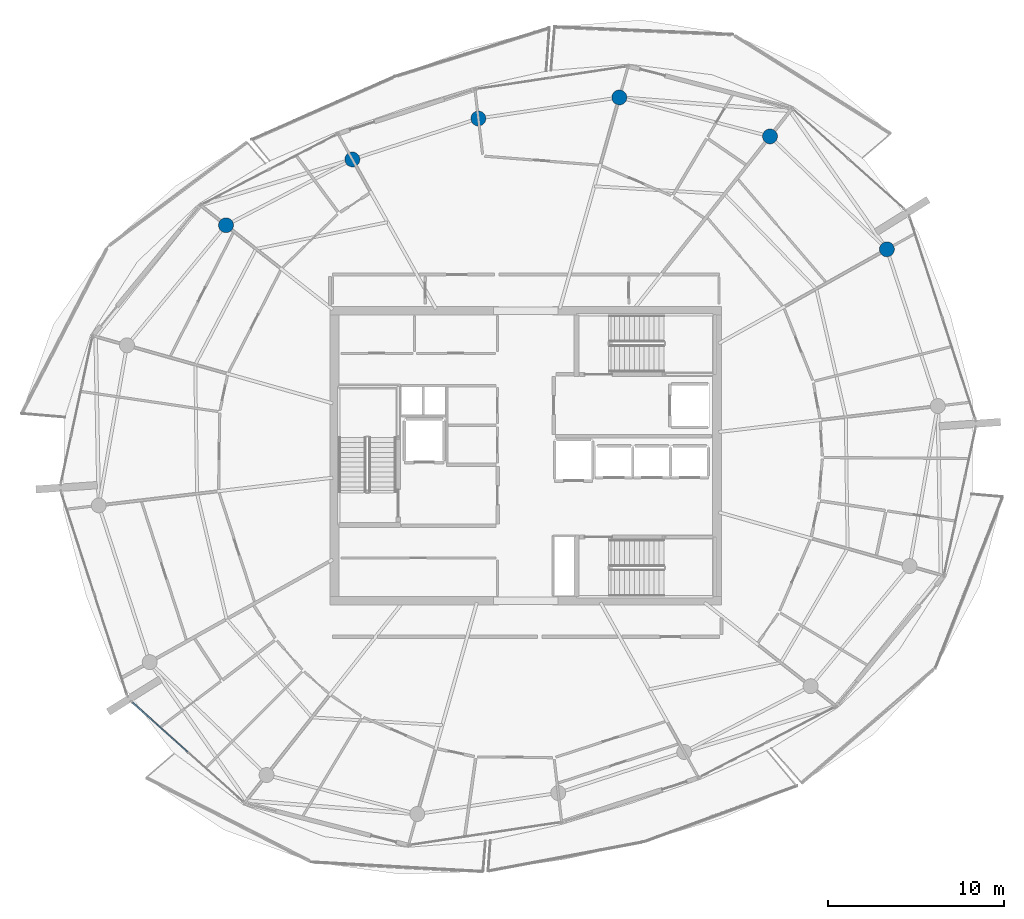
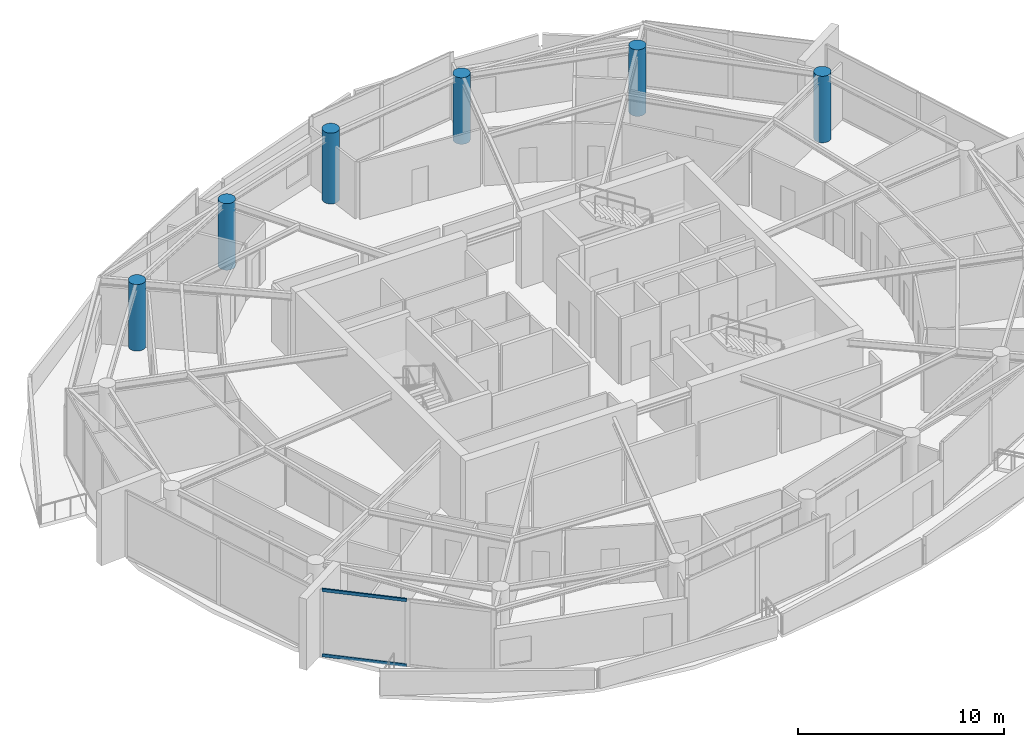
# One storey, part 4 of 20: 6 columns, 2 members, 1 element without a shape of its own.
"""IFC4 building model written with IfcOpenShell, lengths in metres."""

from ifc_helpers import new_model, si_unit, direction, frame, origin, origin_2d, place, context, subcontext, project, spatial, rectangle, circle, extrude, material, layer, layer_set, material_profile, profile_set, type_object, element, aggregate, save


model = new_model("IFC4")

# Units and contexts
model_context = context("Model", 3, precision=1e-05, world=origin(), true_north=direction((0.0, 1.0)))
body_context = subcontext(model_context, "Body", "Model", "MODEL_VIEW")
ifc_project = project(units=[si_unit("LENGTHUNIT", "METRE"), si_unit("AREAUNIT", "SQUARE_METRE"), si_unit("VOLUMEUNIT", "CUBIC_METRE"), si_unit("PLANEANGLEUNIT", "RADIAN"), si_unit("MASSUNIT", "GRAM", prefix="KILO")], contexts=[model_context])

# Site, building, storey
site_placement = place(None, origin())
site = spatial("IfcSite", under=ifc_project, at=site_placement, CompositionType="ELEMENT")
building_placement = place(site_placement, origin())
building = spatial("IfcBuilding", under=site, at=building_placement, Name="Kazma Halo Residences", CompositionType="ELEMENT")
storey_placement = place(building_placement, frame((0.0, 0.0, 317.89990234375)))
storey = spatial("IfcBuildingStorey", under=building, at=storey_placement, Name="L80", CompositionType="ELEMENT", Elevation=317.89990234375)

# Columns
ifc_material_1 = material(Name="Concrete C60/75", Category="concrete")
ifc_material_profile_1 = material_profile(ifc_material_1, circle(Radius=0.425048828125, at=origin_2d()), Name="CIRC850")
ifc_profile_set_1 = profile_set([ifc_material_profile_1], Name="Concrete C60/75")
column_type = type_object("IfcColumnType", Name="COL-PERIM-850", PredefinedType="COLUMN", material=ifc_profile_set_1)
for number, where, z_axis, x_axis, name in (
    (1, (68.96337890625, 53.739990234375, 0.0), (0.0, 0.0, 1.0), (1.0, 0.0, 0.0), "L80 perimeter ring column P01"),
    (2, (62.31591796875, 60.159423828125, 0.0), (0.0, 0.0, 1.0), (1.0, 0.0, 0.0), "L80 perimeter ring column P02"),
    (3, (53.74658203125, 62.37646484375, 0.0), (0.0, 0.0, 1.0), (1.0, 0.0, 0.0), "L80 perimeter ring column P03"),
):
    element("IfcColumn", number, at=place(storey_placement, frame(where, z_axis=z_axis, x_axis=x_axis)), inside=storey, type_object=column_type, Name=name, PredefinedType="COLUMN", context=body_context, shape_type="SweptSolid", body=[
        extrude(circle(Radius=0.425048828125, at=origin_2d()), origin(), (0.0, 0.0, 1.0), 3.940185546875),
    ])
column_placement = place(storey_placement, frame((45.72998046875, 61.17919921875, 0.0), z_axis=(0.0, 0.0, 1.0), x_axis=(1.0, 0.0, 0.0)))
element("IfcColumn", 4, at=column_placement, inside=storey, type_object=column_type, Name="L80 perimeter ring column P04", PredefinedType="COLUMN", context=body_context, shape_type="SweptSolid", body=[
    extrude(circle(Radius=0.425048828125, at=origin_2d()), origin(), (0.0, 0.0, 1.0), 4.196044921875),
])
for number, where, z_axis, x_axis, name in (
    (5, (38.563232421875, 58.8505859375, 0.0), (0.0, 0.0, 1.0), (1.0, 0.0, 0.0), "L80 perimeter ring column P05"),
    (6, (31.373779296875, 55.10693359375, 0.0), (0.0, 0.0, 1.0), (1.0, 0.0, 0.0), "L80 perimeter ring column P06"),
):
    element("IfcColumn", number, at=place(storey_placement, frame(where, z_axis=z_axis, x_axis=x_axis)), inside=storey, type_object=column_type, Name=name, PredefinedType="COLUMN", context=body_context, shape_type="SweptSolid", body=[
        extrude(circle(Radius=0.425048828125, at=origin_2d()), origin(), (0.0, 0.0, 1.0), 3.940185546875),
    ])

# Curtain wall, members
ifc_material_2 = material(Name="Aluminium AW-6063 T6 and Triple-Silver Low-E Glass", Category="aluminium")
ifc_layer = layer(ifc_material_2, 0.239990234375)
ifc_layer_set = layer_set([ifc_layer], Name="Aluminium AW-6063 T6 and Triple-Silver Low-E Glass")
curtain_wall_type = type_object("IfcCurtainWallType", Name="CW-SYS-6", PredefinedType="NOTDEFINED", material=ifc_layer_set)
curtain_wall_placement = place(storey_placement, origin())
curtain_wall = element("IfcCurtainWall", 7, at=curtain_wall_placement, inside=storey, type_object=curtain_wall_type, Name="L80 unitised curtain wall B09", PredefinedType="NOTDEFINED")
ifc_material_3 = material(Name="Aluminium AW-6063 T6", Category="aluminium")
ifc_material_profile_2 = material_profile(ifc_material_3, rectangle(XDim=0.080078125, YDim=0.179931640625, at=origin_2d()), Name="CWT-80x180")
ifc_profile_set_2 = profile_set([ifc_material_profile_2], Name="Aluminium AW-6063 T6")
member_type = type_object("IfcMemberType", Name="CW-SYS-6-TRN", PredefinedType="USERDEFINED", material=ifc_profile_set_2)
member_1_placement = place(storey_placement, frame((26.061767578125, 27.95947265625, 0.0400390625), z_axis=(0.744349048391, -0.66779075627, 0.0), x_axis=(0.66779075627, 0.744349048391, 0.0)))
member_1 = element("IfcMember", 8, at=member_1_placement, type_object=member_type, Name="CWS-6 transom 1.1", ObjectType="TRANSOM", PredefinedType="USERDEFINED", context=body_context, shape_type="SweptSolid", body=[
    extrude(rectangle(XDim=0.080078125, YDim=0.179931640625, at=origin_2d()), origin(), (0.0, 0.0, 1.0), 4.19677734375),
])
member_2_placement = place(storey_placement, frame((26.061767578125, 27.95947265625, 3.900146484375), z_axis=(0.744349048391, -0.66779075627, 0.0), x_axis=(0.66779075627, 0.744349048391, 0.0)))
member_2 = element("IfcMember", 9, at=member_2_placement, type_object=member_type, Name="CWS-6 transom 1.2", ObjectType="TRANSOM", PredefinedType="USERDEFINED", context=body_context, shape_type="SweptSolid", body=[
    extrude(rectangle(XDim=0.080078125, YDim=0.179931640625, at=origin_2d()), origin(), (0.0, 0.0, 1.0), 4.19677734375),
])
aggregate(curtain_wall, [member_1, member_2])

save(model, "model.ifc")
